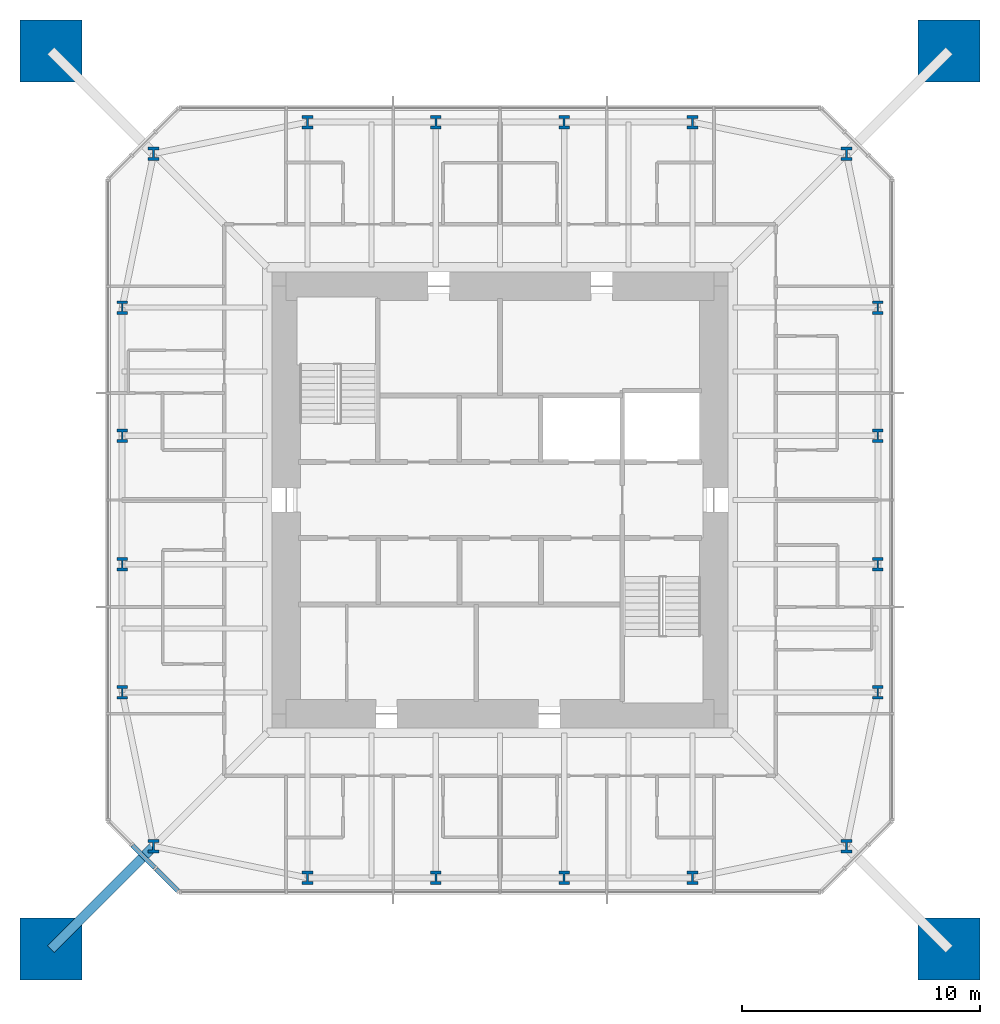
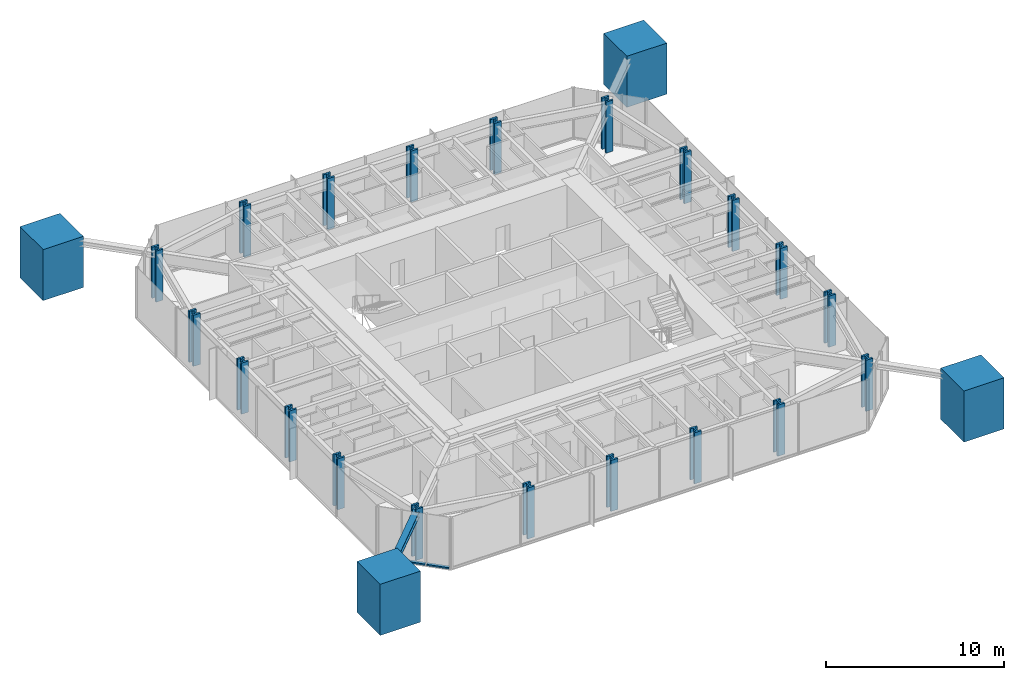
# One storey, part 1 of 10: 24 columns, 3 members, 1 element without a shape of its own.
"""IFC4 building model written with IfcOpenShell, lengths in metres."""

from ifc_helpers import new_model, si_unit, direction, frame, origin, origin_2d, place, context, subcontext, project, spatial, rectangle, i_section, extrude, material, material_profile, profile_set, type_object, element, aggregate, save


model = new_model("IFC4")

# Units and contexts
model_context = context("Model", 3, precision=1e-05, world=origin(), true_north=direction((0.0, 1.0)))
body_context = subcontext(model_context, "Body", "Model", "MODEL_VIEW")
ifc_project = project(units=[si_unit("LENGTHUNIT", "METRE"), si_unit("AREAUNIT", "SQUARE_METRE"), si_unit("VOLUMEUNIT", "CUBIC_METRE"), si_unit("PLANEANGLEUNIT", "RADIAN"), si_unit("MASSUNIT", "GRAM", prefix="KILO")], contexts=[model_context])

# Site, building, storey
site_placement = place(None, origin())
site = spatial("IfcSite", under=ifc_project, at=site_placement, CompositionType="ELEMENT")
building_placement = place(site_placement, origin())
building = spatial("IfcBuilding", under=site, at=building_placement, Name="Iwan Alto Co-Living Towers", CompositionType="ELEMENT")
storey_placement = place(building_placement, frame((0.0, 0.0, 225.5)))
storey = spatial("IfcBuildingStorey", under=building, at=storey_placement, Name="L61", CompositionType="ELEMENT", Elevation=225.5)

# Columns
ifc_material_1 = material(Name="Concrete f'c 70 MPa", Category="concrete")
ifc_material_profile_1 = material_profile(ifc_material_1, rectangle(XDim=2.60009765625, YDim=2.60009765625, at=origin_2d()), Name="RC 2600X2600")
ifc_profile_set_1 = profile_set([ifc_material_profile_1], Name="Concrete f'c 70 MPa")
column_type_1 = type_object("IfcColumnType", Name="T1 MEGA COLUMN RC 2600X2600", PredefinedType="COLUMN", material=ifc_profile_set_1)
for number, where, z_axis, x_axis, name in (
    (1, (-18.89990234375, -18.89990234375, 0.0), (0.0, 0.0, 1.0), (1.0, 0.0, 0.0), "T1 mega column SW L61"),
    (2, (18.89990234375, -18.89990234375, 0.0), (0.0, 0.0, 1.0), (1.0, 0.0, 0.0), "T1 mega column SE L61"),
    (3, (18.89990234375, 18.89990234375, 0.0), (0.0, 0.0, 1.0), (1.0, 0.0, 0.0), "T1 mega column NE L61"),
    (4, (-18.89990234375, 18.89990234375, 0.0), (0.0, 0.0, 1.0), (1.0, 0.0, 0.0), "T1 mega column NW L61"),
):
    element("IfcColumn", number, at=place(storey_placement, frame(where, z_axis=z_axis, x_axis=x_axis)), inside=storey, type_object=column_type_1, Name=name, PredefinedType="COLUMN", context=body_context, shape_type="SweptSolid", body=[
        extrude(rectangle(XDim=2.60009765625, YDim=2.60009765625, at=origin_2d()), origin(), (0.0, 0.0, 1.0), 3.5),
        extrude(i_section(OverallWidth=0.4775390625, OverallDepth=0.599365234375, WebThickness=0.10009765625, FlangeThickness=0.139892578125, at=origin_2d()), origin(), (0.0, 0.0, 1.0), 3.5),
    ])
ifc_material_2 = material(Name="Steel ASTM A992 Gr 50", Category="steel")
ifc_material_profile_2 = material_profile(ifc_material_2, i_section(OverallWidth=0.45458984375, OverallDepth=0.56884765625, WebThickness=0.077880859375, FlangeThickness=0.124755859375, at=origin_2d()), Name="W14X730")
ifc_profile_set_2 = profile_set([ifc_material_profile_2], Name="Steel ASTM A992 Gr 50")
column_type_2 = type_object("IfcColumnType", Name="T1 RING COLUMN W14X730", PredefinedType="COLUMN", material=ifc_profile_set_2)
for number, where, z_axis, x_axis, name in (
    (5, (-14.57568359375, -14.57568359375, 0.0), (0.0, 0.0, 1.0), (1.0, 0.0, 0.0), "T1 ring column CSW L61"),
    (6, (-8.10009765625, -15.89990234375, 0.0), (0.0, 0.0, 1.0), (1.0, 0.0, 0.0), "T1 ring column S1 L61"),
    (7, (-2.699951171875, -15.89990234375, 0.0), (0.0, 0.0, 1.0), (1.0, 0.0, 0.0), "T1 ring column S2 L61"),
    (8, (2.699951171875, -15.89990234375, 0.0), (0.0, 0.0, 1.0), (1.0, 0.0, 0.0), "T1 ring column S3 L61"),
    (9, (8.10009765625, -15.89990234375, 0.0), (0.0, 0.0, 1.0), (1.0, 0.0, 0.0), "T1 ring column S4 L61"),
    (10, (14.57568359375, -14.57568359375, 0.0), (0.0, 0.0, 1.0), (1.0, 0.0, 0.0), "T1 ring column CSE L61"),
    (11, (15.89990234375, -8.10009765625, 0.0), (0.0, 0.0, 1.0), (1.0, 0.0, 0.0), "T1 ring column E1 L61"),
    (12, (15.89990234375, -2.699951171875, 0.0), (0.0, 0.0, 1.0), (1.0, 0.0, 0.0), "T1 ring column E2 L61"),
    (13, (15.89990234375, 2.699951171875, 0.0), (0.0, 0.0, 1.0), (1.0, 0.0, 0.0), "T1 ring column E3 L61"),
    (14, (15.89990234375, 8.10009765625, 0.0), (0.0, 0.0, 1.0), (1.0, 0.0, 0.0), "T1 ring column E4 L61"),
    (15, (14.57568359375, 14.57568359375, 0.0), (0.0, 0.0, 1.0), (1.0, 0.0, 0.0), "T1 ring column CNE L61"),
    (16, (8.10009765625, 15.89990234375, 0.0), (0.0, 0.0, 1.0), (1.0, 0.0, 0.0), "T1 ring column N1 L61"),
    (17, (2.699951171875, 15.89990234375, 0.0), (0.0, 0.0, 1.0), (1.0, 0.0, 0.0), "T1 ring column N2 L61"),
    (18, (-2.699951171875, 15.89990234375, 0.0), (0.0, 0.0, 1.0), (1.0, 0.0, 0.0), "T1 ring column N3 L61"),
    (19, (-8.10009765625, 15.89990234375, 0.0), (0.0, 0.0, 1.0), (1.0, 0.0, 0.0), "T1 ring column N4 L61"),
    (20, (-14.57568359375, 14.57568359375, 0.0), (0.0, 0.0, 1.0), (1.0, 0.0, 0.0), "T1 ring column CNW L61"),
    (21, (-15.89990234375, 8.10009765625, 0.0), (0.0, 0.0, 1.0), (1.0, 0.0, 0.0), "T1 ring column W1 L61"),
    (22, (-15.89990234375, 2.699951171875, 0.0), (0.0, 0.0, 1.0), (1.0, 0.0, 0.0), "T1 ring column W2 L61"),
    (23, (-15.89990234375, -2.699951171875, 0.0), (0.0, 0.0, 1.0), (1.0, 0.0, 0.0), "T1 ring column W3 L61"),
    (24, (-15.89990234375, -8.10009765625, 0.0), (0.0, 0.0, 1.0), (1.0, 0.0, 0.0), "T1 ring column W4 L61"),
):
    element("IfcColumn", number, at=place(storey_placement, frame(where, z_axis=z_axis, x_axis=x_axis)), inside=storey, type_object=column_type_2, Name=name, PredefinedType="COLUMN", context=body_context, shape_type="SweptSolid", body=[
        extrude(i_section(OverallWidth=0.45458984375, OverallDepth=0.56884765625, WebThickness=0.077880859375, FlangeThickness=0.124755859375, at=origin_2d()), origin(), (0.0, 0.0, 1.0), 3.5),
    ])

# Curtain wall, members
ifc_material_3 = material(Name="Bronze aluminium unitised frame", Category="aluminium")
curtain_wall_type = type_object("IfcCurtainWallType", Name="CURTAIN WALL CW-B", PredefinedType="NOTDEFINED", material=ifc_material_3)
curtain_wall_placement = place(storey_placement, origin())
curtain_wall = element("IfcCurtainWall", 25, at=curtain_wall_placement, inside=storey, type_object=curtain_wall_type, Name="T1 chamfer curtain wall SW L61", PredefinedType="NOTDEFINED")
ifc_material_4 = material(Name="Aluminium 6063-T6 bronze anodised", Category="aluminium")
ifc_material_profile_3 = material_profile(ifc_material_4, rectangle(XDim=0.199951171875, YDim=0.10009765625, at=origin_2d()), Name="AL 200X100")
ifc_profile_set_3 = profile_set([ifc_material_profile_3], Name="Aluminium 6063-T6 bronze anodised")
member_type_1 = type_object("IfcMemberType", Name="CW-B TRANSOM 200X100", PredefinedType="USERDEFINED", material=ifc_profile_set_3)
member_1_placement = place(storey_placement, frame((-15.4716796875, -14.5283203125, 0.050048828125), z_axis=(0.707106781187, -0.707106781187, 0.0), x_axis=(0.707106781187, 0.707106781187, 0.0)))
member_1 = element("IfcMember", 26, at=member_1_placement, type_object=member_type_1, Name="CW-B transom 2.1", ObjectType="TRANSOM", PredefinedType="USERDEFINED", context=body_context, shape_type="SweptSolid", body=[
    extrude(rectangle(XDim=0.199951171875, YDim=0.10009765625, at=origin_2d()), origin(), (0.0, 0.0, 1.0), 1.334228515625),
])
member_2_placement = place(storey_placement, frame((-14.4716796875, -15.5283203125, 0.050048828125), z_axis=(0.707106781187, -0.707106781187, 0.0), x_axis=(0.707106781187, 0.707106781187, 0.0)))
member_2 = element("IfcMember", 27, at=member_2_placement, type_object=member_type_1, Name="CW-B transom 3.1", ObjectType="TRANSOM", PredefinedType="USERDEFINED", context=body_context, shape_type="SweptSolid", body=[
    extrude(rectangle(XDim=0.199951171875, YDim=0.10009765625, at=origin_2d()), origin(), (0.0, 0.0, 1.0), 1.2939453125),
])
aggregate(curtain_wall, [member_1, member_2])

# Member
ifc_material_5 = material(Name="Steel ASTM A992 Gr 50", Category="steel")
ifc_material_profile_4 = material_profile(ifc_material_5, i_section(OverallWidth=0.393798828125, OverallDepth=0.3759765625, WebThickness=0.017333984375, FlangeThickness=0.027587890625, at=origin_2d()), Name="W14X145")
ifc_profile_set_4 = profile_set([ifc_material_profile_4], Name="Steel ASTM A992 Gr 50")
member_type_2 = type_object("IfcMemberType", Name="T1 MEGA COLUMN FLOOR TIE W14X145", PredefinedType="STRUT", material=ifc_profile_set_4)
member_3_placement = place(storey_placement, frame((-18.89990234375, -18.89990234375, 3.08203125), z_axis=(0.707106781187, 0.707106781187, 0.0), x_axis=(-0.707106781187, 0.707106781187, 0.0)))
element("IfcMember", 28, at=member_3_placement, inside=storey, type_object=member_type_2, Name="T1 mega column floor tie SW L62", PredefinedType="STRUT", context=body_context, shape_type="SweptSolid", body=[
    extrude(i_section(OverallWidth=0.393798828125, OverallDepth=0.3759765625, WebThickness=0.017333984375, FlangeThickness=0.027587890625, at=origin_2d()), origin(), (0.0, 0.0, 1.0), 6.115478515625),
])

save(model, "model.ifc")
